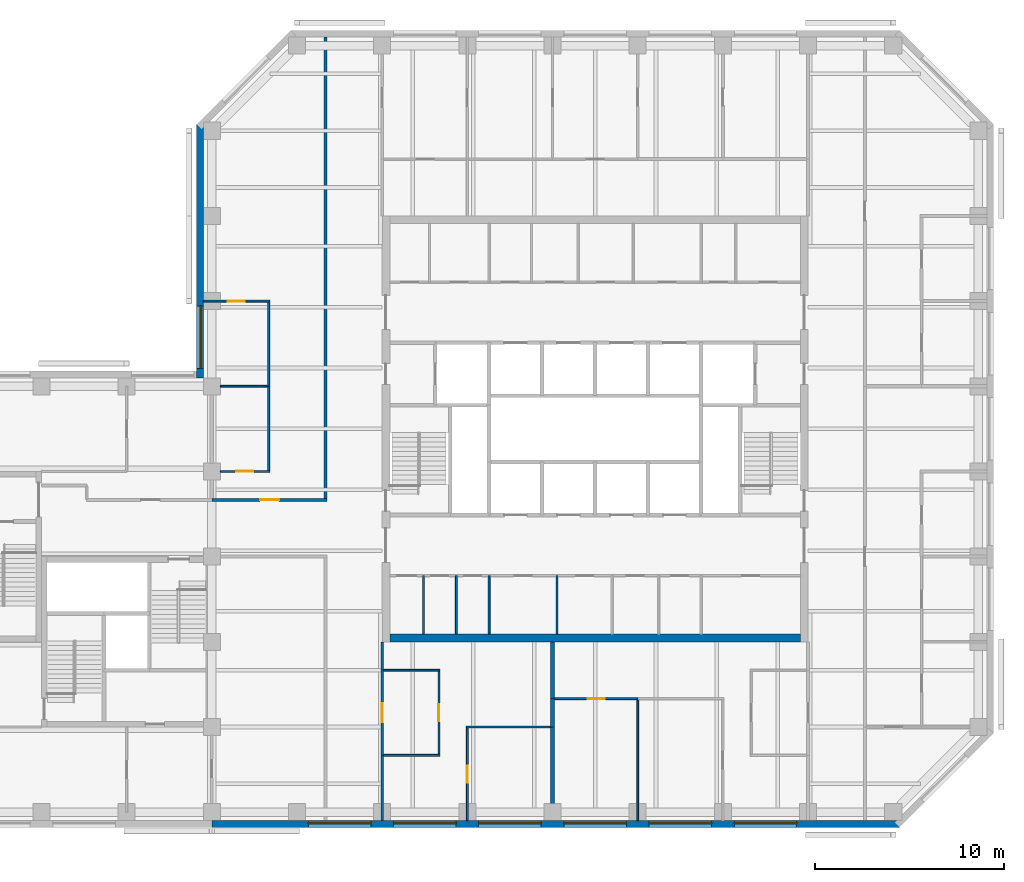
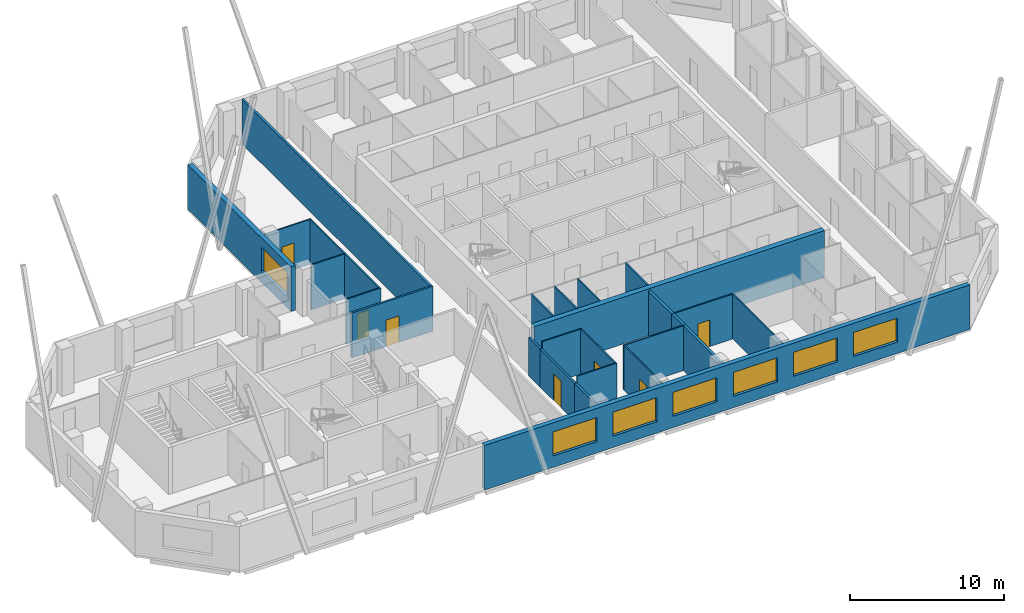
# One storey, part 4 of 10: 27 walls, 7 doors, 7 windows, 14 openings.
"""IFC4 building model written with IfcOpenShell, lengths in metres."""

import ifcopenshell
import ifcopenshell.guid

model = None  # the IFC model being written
_history = None  # IfcOwnerHistory: only IFC2X3 demands one
_inside = {}  # id of a spatial element -> (the spatial element, [elements in it])
_under = {}  # id of a project, library or spatial element -> (it, [spatial elements below it])
_declared = {}  # id of a project -> (the project, [libraries it declares])
_typed = {}  # id of a type object -> (the type object, [elements of that type])
_made_of = {}  # id of a material, layer set ... -> (it, [elements and type objects made of it])


def new_model(schema):
    """Start an empty IFC model of exactly this schema.

    Asked for "IFC4X3", IfcOpenShell would pick the latest addendum, in which some entities
    have other attributes; the version numbers below select the first issue.
    IFC2X3 requires an IfcOwnerHistory on every rooted entity: one is made here for all.
    """
    global model, _history
    if schema == "IFC4X3":
        model = ifcopenshell.file(schema_version=(4, 3, 0, 0))
    else:
        model = ifcopenshell.file(schema=schema)
    _inside.clear()
    _under.clear()
    _declared.clear()
    _typed.clear()
    _made_of.clear()
    _history = None
    if model.schema == "IFC2X3":
        org = make("IfcOrganization", Name="unknown")
        user = make(
            "IfcPersonAndOrganization",
            ThePerson=make("IfcPerson", FamilyName="unknown"),
            TheOrganization=org,
        )
        app = make(
            "IfcApplication",
            ApplicationDeveloper=org,
            Version="unknown",
            ApplicationFullName="unknown",
            ApplicationIdentifier="unknown",
        )
        _history = make(
            "IfcOwnerHistory",
            OwningUser=user,
            OwningApplication=app,
            ChangeAction="ADDED",
            CreationDate=0,
        )
    return model


def make(cls, **values):
    """One entity of the class cls with the attributes given. An attribute that is None is left unset."""
    return model.create_entity(
        cls, **{name: value for name, value in values.items() if value is not None}
    )


def rooted(cls, **values):
    """An entity with a GlobalId (a new one), such as an element, a storey or a relation."""
    return make(cls, GlobalId=ifcopenshell.guid.new(), OwnerHistory=_history, **values)


def si_unit(unit_type, name, prefix=None):
    """IfcSIUnit, for example si_unit("LENGTHUNIT", "METRE", prefix="MILLI")."""
    return make("IfcSIUnit", UnitType=unit_type, Prefix=prefix, Name=name)


def assignment(units):
    """IfcUnitAssignment: the units of a project."""
    return None if units is None else make("IfcUnitAssignment", Units=units)


def point(xyz):
    """IfcCartesianPoint."""
    return None if xyz is None else make("IfcCartesianPoint", Coordinates=xyz)


def direction(xyz):
    """IfcDirection."""
    return None if xyz is None else make("IfcDirection", DirectionRatios=xyz)


def frame(location, z_axis=None, x_axis=None):
    """IfcAxis2Placement3D, a coordinate frame: its origin and axes. An axis left out is left unset."""
    return make(
        "IfcAxis2Placement3D",
        Location=point(location),
        Axis=direction(z_axis),
        RefDirection=direction(x_axis),
    )


def frame_2d(location, x_axis=None):
    """IfcAxis2Placement2D, a coordinate frame in the plane: its origin and x axis."""
    return make(
        "IfcAxis2Placement2D", Location=point(location), RefDirection=direction(x_axis)
    )


def origin():
    """The frame at (0, 0, 0) with its axes left unset."""
    return frame((0.0, 0.0, 0.0))


def place(relative_to, where):
    """IfcLocalPlacement: puts the frame where relative to a parent placement (None: the world)."""
    return make(
        "IfcLocalPlacement", PlacementRelTo=relative_to, RelativePlacement=where
    )


def context(
    kind, dimensions, precision=None, world=None, true_north=None, identifier=None
):
    """IfcGeometricRepresentationContext, for example the 3D "Model" context."""
    return make(
        "IfcGeometricRepresentationContext",
        ContextIdentifier=identifier,
        ContextType=kind,
        CoordinateSpaceDimension=dimensions,
        Precision=precision,
        WorldCoordinateSystem=world,
        TrueNorth=true_north,
    )


def subcontext(parent, identifier, kind, view, scale=None):
    """IfcGeometricRepresentationSubContext, for example "Body" below "Model"."""
    return make(
        "IfcGeometricRepresentationSubContext",
        ContextIdentifier=identifier,
        ContextType=kind,
        ParentContext=parent,
        TargetScale=scale,
        TargetView=view,
    )


def project(units=None, contexts=None):
    """IfcProject with its units and contexts."""
    return rooted(
        "IfcProject",
        Name="project",
        RepresentationContexts=contexts,
        UnitsInContext=assignment(units),
    )


def spatial(cls, under=None, at=None, **own):
    """A site, building, storey or space (cls), placed at a placement, below another one or the project."""
    s = rooted(cls, ObjectPlacement=at, **own)
    if under is not None:
        _under.setdefault(under.id(), (under, []))[1].append(s)
    return s


def profile(cls, at=None, kind="AREA", **sizes):
    """A parametric profile (cls). Its sizes go by their IFC names, for example OverallWidth=200.0."""
    return make(cls, ProfileType=kind, Position=at, **sizes)


def rectangle(**sizes):
    """IfcRectangleProfileDef."""
    return profile("IfcRectangleProfileDef", **sizes)


def extrude(swept, where, along, depth):
    """IfcExtrudedAreaSolid: the profile swept, set in the frame where, extruded along a direction by depth."""
    return make(
        "IfcExtrudedAreaSolid",
        SweptArea=swept,
        Position=where,
        ExtrudedDirection=direction(along),
        Depth=depth,
    )


def shape(context_of_items, identifier, shape_type, items):
    """IfcShapeRepresentation: the items that make up one representation, for example the "Body"."""
    return make(
        "IfcShapeRepresentation",
        ContextOfItems=context_of_items,
        RepresentationIdentifier=identifier,
        RepresentationType=shape_type,
        Items=items,
    )


def material(Name=None, Category=None):
    """IfcMaterial."""
    return make("IfcMaterial", Name=Name, Category=Category)


def layer(
    of_material, thickness, ventilated=None, Name=None, Category=None, Priority=None
):
    """IfcMaterialLayer: one layer of a wall or slab, of a material (None: an air gap)."""
    return make(
        "IfcMaterialLayer",
        Material=of_material,
        LayerThickness=thickness,
        IsVentilated=ventilated,
        Name=Name,
        Category=Category,
        Priority=Priority,
    )


def layer_set(layers, Name=None):
    """IfcMaterialLayerSet."""
    return make("IfcMaterialLayerSet", MaterialLayers=layers, LayerSetName=Name)


def constituent(of_material, Name=None, Category=None, fraction=None):
    """IfcMaterialConstituent: one of the materials an element consists of."""
    return make(
        "IfcMaterialConstituent",
        Name=Name,
        Material=of_material,
        Fraction=fraction,
        Category=Category,
    )


def constituent_set(constituents=None, Name=None):
    """IfcMaterialConstituentSet."""
    return make(
        "IfcMaterialConstituentSet", Name=Name, MaterialConstituents=constituents
    )


def made_of(thing, what):
    """Note that an element or type object is made of a material, layer set ...; save() writes the relation."""
    if what is not None:
        _made_of.setdefault(what.id(), (what, []))[1].append(thing)
    return thing


def type_object(cls, material=None, **own):
    """A type object (cls), such as IfcWallType, which elements share."""
    return made_of(rooted(cls, **own), material)


def element(
    cls,
    number,
    at=None,
    inside=None,
    cuts=None,
    type_object=None,
    material=None,
    context=None,
    identifier="Body",
    shape_type=None,
    held_by="IfcProductDefinitionShape",
    body=None,
    shapes=None,
    **own,
):
    """One element of the class cls, such as IfcWall. Its Tag is "e" and its number.

    at: its placement. inside: the storey or other place that contains it. cuts: it is an
    opening in that element (IfcRelVoidsElement). A single representation is given by context,
    identifier, shape_type and body (its items); several are given by shapes. held_by: the class
    of the entity that holds the representations. save() writes the other relations.
    """
    e = rooted(cls, Tag="e%d" % number, ObjectPlacement=at, **own)
    if body is not None:
        shapes = [shape(context, identifier, shape_type, body)]
    if shapes is not None:
        e.Representation = make(held_by, Representations=shapes)
    if inside is not None:
        _inside.setdefault(inside.id(), (inside, []))[1].append(e)
    if cuts is not None:
        rooted(
            "IfcRelVoidsElement", RelatingBuildingElement=cuts, RelatedOpeningElement=e
        )
    if type_object is not None:
        _typed.setdefault(type_object.id(), (type_object, []))[1].append(e)
    return made_of(e, material)


def fill(opening, filler):
    """IfcRelFillsElement: the door or window that sits in an opening."""
    return rooted(
        "IfcRelFillsElement",
        RelatingOpeningElement=opening,
        RelatedBuildingElement=filler,
    )


def aggregate(whole, parts):
    """IfcRelAggregates: a whole, such as a stair, and the parts it consists of."""
    return rooted("IfcRelAggregates", RelatingObject=whole, RelatedObjects=parts)


def save(model, path):
    """Write the relations noted so far, then the file.

    IfcRelAggregates (storeys below a building ...), IfcRelContainedInSpatialStructure (elements
    in a storey), IfcRelDefinesByType, IfcRelAssociatesMaterial and IfcRelDeclares: one each for
    every whole, place, type object, material and project.
    """
    for whole, parts in _under.values():
        aggregate(whole, parts)
    for where, things in _inside.values():
        rooted(
            "IfcRelContainedInSpatialStructure",
            RelatedElements=things,
            RelatingStructure=where,
        )
    for kind, things in _typed.values():
        rooted("IfcRelDefinesByType", RelatedObjects=things, RelatingType=kind)
    for what, things in _made_of.values():
        rooted("IfcRelAssociatesMaterial", RelatedObjects=things, RelatingMaterial=what)
    for by, libraries in _declared.values():
        rooted("IfcRelDeclares", RelatingContext=by, RelatedDefinitions=libraries)
    model.write(path)


model = new_model("IFC4")

# Units and contexts
model_context = context("Model", 3, precision=1e-05, world=origin(), true_north=direction((0.0, 1.0)))
body_context = subcontext(model_context, "Body", "Model", "MODEL_VIEW")
ifc_project = project(units=[si_unit("LENGTHUNIT", "METRE"), si_unit("AREAUNIT", "SQUARE_METRE"), si_unit("VOLUMEUNIT", "CUBIC_METRE"), si_unit("PLANEANGLEUNIT", "RADIAN"), si_unit("MASSUNIT", "GRAM", prefix="KILO")], contexts=[model_context])

# Site, building, storey
site_placement = place(None, origin())
site = spatial("IfcSite", under=ifc_project, at=site_placement, CompositionType="ELEMENT")
building_placement = place(site_placement, origin())
building = spatial("IfcBuilding", under=site, at=building_placement, Name="Quoin Convention Tower", CompositionType="ELEMENT")
storey_placement = place(building_placement, frame((0.0, 0.0, 234.10009765625)))
storey = spatial("IfcBuildingStorey", under=building, at=storey_placement, Name="L61", CompositionType="ELEMENT", Elevation=234.10009765625)

# Wall, openings, windows
ifc_material_1 = material(Name="Brick masonry", Category="masonry")
ifc_layer_1 = layer(ifc_material_1, 0.35009765625)
ifc_layer_set_1 = layer_set([ifc_layer_1], Name="Brick masonry")
wall_type_1 = type_object("IfcWallType", Name="Brick facade wall", PredefinedType="STANDARD", material=ifc_layer_set_1)
wall_1_placement = place(storey_placement, frame((36.0, 39.875, 0.0), z_axis=(0.0, 0.0, 1.0), x_axis=(1.0, 0.0, 0.0)))
wall_1 = element("IfcWall", 1, at=wall_1_placement, inside=storey, type_object=wall_type_1, Name="fw-L61-36000_40500", PredefinedType="STANDARD", context=body_context, shape_type="SweptSolid", body=[
    extrude(rectangle(XDim=36.331298828125, YDim=0.35009765625, at=frame_2d((18.16552734375, 0.0))), origin(), (0.0, 0.0, 1.0), 3.52490234375),
])
opening_1_placement = place(wall_1_placement, frame((5.10009765625, 0.0, 0.89990234375)))
opening_1 = element("IfcOpeningElement", 2, at=opening_1_placement, cuts=wall_1, Name="Opening W-02", PredefinedType="OPENING", context=body_context, shape_type="SweptSolid", body=[
    extrude(rectangle(XDim=3.300048828125, YDim=1.89990234375, at=frame_2d((1.64990234375, 0.949951171875))), frame((0.0, 0.18505859375, 0.0), z_axis=(0.0, -1.0, 0.0), x_axis=(1.0, 0.0, 0.0)), (0.0, 0.0, 1.0), 0.3701171875),
])
opening_2_placement = place(wall_1_placement, frame((9.60009765625, 0.0, 0.89990234375)))
opening_2 = element("IfcOpeningElement", 3, at=opening_2_placement, cuts=wall_1, Name="Opening W-02", PredefinedType="OPENING", context=body_context, shape_type="SweptSolid", body=[
    extrude(rectangle(XDim=3.300048828125, YDim=1.89990234375, at=frame_2d((1.64990234375, 0.949951171875))), frame((0.0, 0.18505859375, 0.0), z_axis=(0.0, -1.0, 0.0), x_axis=(1.0, 0.0, 0.0)), (0.0, 0.0, 1.0), 0.3701171875),
])
opening_3_placement = place(wall_1_placement, frame((14.10009765625, 0.0, 0.89990234375)))
opening_3 = element("IfcOpeningElement", 4, at=opening_3_placement, cuts=wall_1, Name="Opening W-02", PredefinedType="OPENING", context=body_context, shape_type="SweptSolid", body=[
    extrude(rectangle(XDim=3.300048828125, YDim=1.89990234375, at=frame_2d((1.64990234375, 0.949951171875))), frame((0.0, 0.18505859375, 0.0), z_axis=(0.0, -1.0, 0.0), x_axis=(1.0, 0.0, 0.0)), (0.0, 0.0, 1.0), 0.3701171875),
])
opening_4_placement = place(wall_1_placement, frame((18.60009765625, 0.0, 0.89990234375)))
opening_4 = element("IfcOpeningElement", 5, at=opening_4_placement, cuts=wall_1, Name="Opening W-02", PredefinedType="OPENING", context=body_context, shape_type="SweptSolid", body=[
    extrude(rectangle(XDim=3.300048828125, YDim=1.89990234375, at=frame_2d((1.64990234375, 0.949951171875))), frame((0.0, 0.18505859375, 0.0), z_axis=(0.0, -1.0, 0.0), x_axis=(1.0, 0.0, 0.0)), (0.0, 0.0, 1.0), 0.3701171875),
])
opening_5_placement = place(wall_1_placement, frame((23.10009765625, 0.0, 0.89990234375)))
opening_5 = element("IfcOpeningElement", 6, at=opening_5_placement, cuts=wall_1, Name="Opening W-02", PredefinedType="OPENING", context=body_context, shape_type="SweptSolid", body=[
    extrude(rectangle(XDim=3.300048828125, YDim=1.89990234375, at=frame_2d((1.64990234375, 0.949951171875))), frame((0.0, 0.18505859375, 0.0), z_axis=(0.0, -1.0, 0.0), x_axis=(1.0, 0.0, 0.0)), (0.0, 0.0, 1.0), 0.3701171875),
])
opening_6_placement = place(wall_1_placement, frame((27.60009765625, 0.0, 0.89990234375)))
opening_6 = element("IfcOpeningElement", 7, at=opening_6_placement, cuts=wall_1, Name="Opening W-02", PredefinedType="OPENING", context=body_context, shape_type="SweptSolid", body=[
    extrude(rectangle(XDim=3.300048828125, YDim=1.89990234375, at=frame_2d((1.64990234375, 0.949951171875))), frame((0.0, 0.18505859375, 0.0), z_axis=(0.0, -1.0, 0.0), x_axis=(1.0, 0.0, 0.0)), (0.0, 0.0, 1.0), 0.3701171875),
])
ifc_material_2 = material(Name="Aluminium", Category="aluminium")
ifc_constituent_1 = constituent(ifc_material_2, Name="Frame")
ifc_material_3 = material(Name="Insulated glass", Category="glass")
ifc_constituent_2 = constituent(ifc_material_3, Name="Glazing")
ifc_constituent_set = constituent_set(constituents=[ifc_constituent_1, ifc_constituent_2], Name="Aluminium")
window_type = type_object("IfcWindowType", Name="Office window", PartitioningType="DOUBLE_PANEL_VERTICAL", PredefinedType="WINDOW", material=ifc_constituent_set)
window_1_placement = place(opening_1_placement, origin())
window_1 = element("IfcWindow", 8, at=window_1_placement, inside=storey, type_object=window_type, Name="win-L61-42750_39875", OverallHeight=1.89990234375, OverallWidth=3.300048828125, PartitioningType="SINGLE_PANEL", PredefinedType="WINDOW", context=body_context, shape_type="SweptSolid", body=[
    extrude(rectangle(XDim=3.300048828125, YDim=1.89990234375, at=frame_2d((1.64990234375, 0.949951171875))), frame((0.0, 0.0849609375, 0.0), z_axis=(0.0, -1.0, 0.0), x_axis=(1.0, 0.0, 0.0)), (0.0, 0.0, 1.0), 0.06005859375),
])
fill(opening_1, window_1)
window_2_placement = place(opening_2_placement, origin())
window_2 = element("IfcWindow", 9, at=window_2_placement, inside=storey, type_object=window_type, Name="win-L61-47250_39875", OverallHeight=1.89990234375, OverallWidth=3.300048828125, PartitioningType="SINGLE_PANEL", PredefinedType="WINDOW", context=body_context, shape_type="SweptSolid", body=[
    extrude(rectangle(XDim=3.300048828125, YDim=1.89990234375, at=frame_2d((1.64990234375, 0.949951171875))), frame((0.0, 0.0849609375, 0.0), z_axis=(0.0, -1.0, 0.0), x_axis=(1.0, 0.0, 0.0)), (0.0, 0.0, 1.0), 0.06005859375),
])
fill(opening_2, window_2)
window_3_placement = place(opening_3_placement, origin())
window_3 = element("IfcWindow", 10, at=window_3_placement, inside=storey, type_object=window_type, Name="win-L61-51750_39875", OverallHeight=1.89990234375, OverallWidth=3.300048828125, PartitioningType="SINGLE_PANEL", PredefinedType="WINDOW", context=body_context, shape_type="SweptSolid", body=[
    extrude(rectangle(XDim=3.300048828125, YDim=1.89990234375, at=frame_2d((1.64990234375, 0.949951171875))), frame((0.0, 0.0849609375, 0.0), z_axis=(0.0, -1.0, 0.0), x_axis=(1.0, 0.0, 0.0)), (0.0, 0.0, 1.0), 0.06005859375),
])
fill(opening_3, window_3)
window_4_placement = place(opening_4_placement, origin())
window_4 = element("IfcWindow", 11, at=window_4_placement, inside=storey, type_object=window_type, Name="win-L61-56250_39875", OverallHeight=1.89990234375, OverallWidth=3.300048828125, PartitioningType="SINGLE_PANEL", PredefinedType="WINDOW", context=body_context, shape_type="SweptSolid", body=[
    extrude(rectangle(XDim=3.300048828125, YDim=1.89990234375, at=frame_2d((1.64990234375, 0.949951171875))), frame((0.0, 0.0849609375, 0.0), z_axis=(0.0, -1.0, 0.0), x_axis=(1.0, 0.0, 0.0)), (0.0, 0.0, 1.0), 0.06005859375),
])
fill(opening_4, window_4)
window_5_placement = place(opening_5_placement, origin())
window_5 = element("IfcWindow", 12, at=window_5_placement, inside=storey, type_object=window_type, Name="win-L61-60750_39875", OverallHeight=1.89990234375, OverallWidth=3.300048828125, PartitioningType="SINGLE_PANEL", PredefinedType="WINDOW", context=body_context, shape_type="SweptSolid", body=[
    extrude(rectangle(XDim=3.300048828125, YDim=1.89990234375, at=frame_2d((1.64990234375, 0.949951171875))), frame((0.0, 0.0849609375, 0.0), z_axis=(0.0, -1.0, 0.0), x_axis=(1.0, 0.0, 0.0)), (0.0, 0.0, 1.0), 0.06005859375),
])
fill(opening_5, window_5)
window_6_placement = place(opening_6_placement, origin())
window_6 = element("IfcWindow", 13, at=window_6_placement, inside=storey, type_object=window_type, Name="win-L61-65250_39875", OverallHeight=1.89990234375, OverallWidth=3.300048828125, PartitioningType="SINGLE_PANEL", PredefinedType="WINDOW", context=body_context, shape_type="SweptSolid", body=[
    extrude(rectangle(XDim=3.300048828125, YDim=1.89990234375, at=frame_2d((1.64990234375, 0.949951171875))), frame((0.0, 0.0849609375, 0.0), z_axis=(0.0, -1.0, 0.0), x_axis=(1.0, 0.0, 0.0)), (0.0, 0.0, 1.0), 0.06005859375),
])
fill(opening_6, window_6)

# Wall, opening, window
wall_2_placement = place(storey_placement, frame((35.375, 76.831298828125, 0.0), z_axis=(0.0, 0.0, 1.0), x_axis=(0.0, -1.0, 0.0)))
wall_2 = element("IfcWall", 14, at=wall_2_placement, inside=storey, type_object=wall_type_1, Name="fw-L61-36000_76500", PredefinedType="STANDARD", context=body_context, shape_type="SweptSolid", body=[
    extrude(rectangle(XDim=13.38134765625, YDim=0.35009765625, at=frame_2d((6.690673828125, 0.0))), origin(), (0.0, 0.0, 1.0), 3.52490234375),
])
opening_7_placement = place(wall_2_placement, frame((9.581298828125, 0.0, 0.89990234375)))
opening_7 = element("IfcOpeningElement", 15, at=opening_7_placement, cuts=wall_2, Name="Opening W-02", PredefinedType="OPENING", context=body_context, shape_type="SweptSolid", body=[
    extrude(rectangle(XDim=3.300048828125, YDim=1.89990234375, at=frame_2d((1.64990234375, 0.949951171875))), frame((0.0, 0.18505859375, 0.0), z_axis=(0.0, -1.0, 0.0), x_axis=(1.0, 0.0, 0.0)), (0.0, 0.0, 1.0), 0.3701171875),
])
window_7_placement = place(opening_7_placement, origin())
window_7 = element("IfcWindow", 16, at=window_7_placement, inside=storey, type_object=window_type, Name="win-L61-35375_65250", OverallHeight=1.89990234375, OverallWidth=3.300048828125, PartitioningType="SINGLE_PANEL", PredefinedType="WINDOW", context=body_context, shape_type="SweptSolid", body=[
    extrude(rectangle(XDim=3.300048828125, YDim=1.89990234375, at=frame_2d((1.64990234375, 0.949951171875))), frame((0.0, 0.0849609375, 0.0), z_axis=(0.0, -1.0, 0.0), x_axis=(1.0, 0.0, 0.0)), (0.0, 0.0, 1.0), 0.06005859375),
])
fill(opening_7, window_7)

# Walls
ifc_material_4 = material(Name="Plasterboard")
ifc_layer_2 = layer(ifc_material_4, 0.012451171875, Name="Finish")
ifc_material_5 = material(Name="Steel stud framing", Category="steel")
ifc_layer_3 = layer(ifc_material_5, 0.074951171875, Name="Structure")
ifc_layer_4 = layer(ifc_material_4, 0.012451171875, Name="Finish")
ifc_layer_set_2 = layer_set([ifc_layer_2, ifc_layer_3, ifc_layer_4], Name="Steel stud framing")
wall_type_2 = type_object("IfcWallType", Name="Core partition wall", PredefinedType="PARTITIONING", material=ifc_layer_set_2)
for number, where, z_axis, x_axis, name in (
    (17, (47.18505859375, 49.89990234375, 0.0), (0.0, 0.0, 1.0), (0.0, 1.0, 0.0), "cr-C1-L61-v2185_400"),
    (18, (48.91748046875, 49.89990234375, 0.0), (0.0, 0.0, 1.0), (0.0, 1.0, 0.0), "cr-C1-L61-v3918_400"),
    (19, (50.64990234375, 49.89990234375, 0.0), (0.0, 0.0, 1.0), (0.0, 1.0, 0.0), "cr-C1-L61-v5650_400"),
    (20, (54.23388671875, 49.89990234375, 0.0), (0.0, 0.0, 1.0), (0.0, 1.0, 0.0), "cr-C1-L61-v9234_400"),
):
    element("IfcWall", number, at=place(storey_placement, frame(where, z_axis=z_axis, x_axis=x_axis)), inside=storey, type_object=wall_type_2, Name=name, PredefinedType="PARTITIONING", context=body_context, shape_type="SweptSolid", body=[
        extrude(rectangle(XDim=3.10009765625, YDim=0.10009765625, at=frame_2d((1.550048828125, 0.0))), origin(), (0.0, 0.0, 1.0), 3.5498046875),
    ])

# Wall, opening, door
ifc_layer_5 = layer(ifc_material_4, 0.012451171875, Name="Finish")
ifc_layer_6 = layer(ifc_material_5, 0.125, Name="Structure")
ifc_layer_7 = layer(ifc_material_4, 0.012451171875, Name="Finish")
ifc_layer_set_3 = layer_set([ifc_layer_5, ifc_layer_6, ifc_layer_7], Name="Steel stud framing")
wall_type_3 = type_object("IfcWallType", Name="Corridor wall 150", PredefinedType="PARTITIONING", material=ifc_layer_set_3)
wall_3_placement = place(storey_placement, frame((36.0, 57.0, 0.0), z_axis=(0.0, 0.0, 1.0), x_axis=(1.0, 0.0, 0.0)))
wall_3 = element("IfcWall", 21, at=wall_3_placement, inside=storey, type_object=wall_type_3, Name="pw-L61-019", PredefinedType="PARTITIONING", context=body_context, shape_type="SweptSolid", body=[
    extrude(rectangle(XDim=6.074951171875, YDim=0.14990234375, at=frame_2d((3.03759765625, 0.0))), origin(), (0.0, 0.0, 1.0), 3.5498046875),
])
opening_8_placement = place(wall_3_placement, frame((2.550048828125, 0.0, 0.0)))
opening_8 = element("IfcOpeningElement", 22, at=opening_8_placement, cuts=wall_3, Name="Opening DOH11-04", PredefinedType="OPENING", context=body_context, shape_type="SweptSolid", body=[
    extrude(rectangle(XDim=1.0, YDim=2.10009765625, at=frame_2d((0.5, 1.050048828125))), frame((0.0, 0.0849609375, 0.0), z_axis=(0.0, -1.0, 0.0), x_axis=(1.0, 0.0, 0.0)), (0.0, 0.0, 1.0), 0.169921875),
])
ifc_material_6 = material(Name="Steel door leaf", Category="steel")
door_type_1 = type_object("IfcDoorType", Name="Tenancy entrance door 1000 x 2100", OperationType="DOUBLE_DOOR_SINGLE_SWING", PredefinedType="DOOR", material=ifc_material_6)
door_1_placement = place(opening_8_placement, origin())
door_1 = element("IfcDoor", 23, at=door_1_placement, inside=storey, type_object=door_type_1, Name="dr-L61-07", OperationType="DOUBLE_DOOR_SINGLE_SWING", OverallHeight=2.10009765625, OverallWidth=1.0, PredefinedType="DOOR", context=body_context, shape_type="SweptSolid", body=[
    extrude(rectangle(XDim=1.0, YDim=2.10009765625, at=frame_2d((0.5, 1.050048828125))), frame((0.0, 0.02490234375, 0.0), z_axis=(0.0, -1.0, 0.0), x_axis=(1.0, 0.0, 0.0)), (0.0, 0.0, 1.0), 0.050048828125),
])
fill(opening_8, door_1)

# Walls
wall_4_placement = place(storey_placement, frame((42.0, 57.074951171875, 0.0), z_axis=(0.0, 0.0, 1.0), x_axis=(0.0, 1.0, 0.0)))
element("IfcWall", 24, at=wall_4_placement, inside=storey, type_object=wall_type_3, Name="pw-L61-062", PredefinedType="PARTITIONING", context=body_context, shape_type="SweptSolid", body=[
    extrude(rectangle(XDim=24.375, YDim=0.14990234375, at=frame_2d((12.1875, 0.0))), origin(), (0.0, 0.0, 1.0), 3.5498046875),
])
ifc_layer_8 = layer(ifc_material_4, 0.012451171875, Name="Finish")
ifc_layer_9 = layer(ifc_material_5, 0.125, Name="Structure")
ifc_layer_10 = layer(ifc_material_4, 0.012451171875, Name="Finish")
ifc_layer_set_4 = layer_set([ifc_layer_8, ifc_layer_9, ifc_layer_10], Name="Steel stud framing")
wall_type_4 = type_object("IfcWallType", Name="Corridor wall 150 under beam 528", PredefinedType="PARTITIONING", material=ifc_layer_set_4)
wall_5_placement = place(storey_placement, frame((45.0, 40.050048828125, 0.0), z_axis=(0.0, 0.0, 1.0), x_axis=(0.0, 1.0, 0.0)))
element("IfcWall", 25, at=wall_5_placement, inside=storey, type_object=wall_type_4, Name="pw-L61-036", PredefinedType="PARTITIONING", context=body_context, shape_type="SweptSolid", body=[
    extrude(rectangle(XDim=3.449951171875, YDim=0.14990234375, at=frame_2d((1.72509765625, 0.0))), origin(), (0.0, 0.0, 1.0), 3.02197265625),
])

# Wall, opening, door
wall_6_placement = place(storey_placement, frame((45.0, 43.5, 0.0), z_axis=(0.0, 0.0, 1.0), x_axis=(0.0, 1.0, 0.0)))
wall_6 = element("IfcWall", 26, at=wall_6_placement, inside=storey, type_object=wall_type_4, Name="pw-L61-044", PredefinedType="PARTITIONING", context=body_context, shape_type="SweptSolid", body=[
    extrude(rectangle(XDim=4.5, YDim=0.14990234375, at=frame_2d((2.25, 0.0))), origin(), (0.0, 0.0, 1.0), 3.02197265625),
])
opening_9_placement = place(wall_6_placement, frame((1.75, 0.0, 0.0)))
opening_9 = element("IfcOpeningElement", 27, at=opening_9_placement, cuts=wall_6, Name="Opening DOH11-12", PredefinedType="OPENING", context=body_context, shape_type="SweptSolid", body=[
    extrude(rectangle(XDim=1.0, YDim=2.10009765625, at=frame_2d((0.5, 1.050048828125))), frame((0.0, 0.0849609375, 0.0), z_axis=(0.0, -1.0, 0.0), x_axis=(1.0, 0.0, 0.0)), (0.0, 0.0, 1.0), 0.169921875),
])
door_2_placement = place(opening_9_placement, frame((1.0, 0.0, 0.0), z_axis=(0.0, 0.0, 1.0), x_axis=(-1.0, 0.0, 0.0)))
door_2 = element("IfcDoor", 28, at=door_2_placement, inside=storey, type_object=door_type_1, Name="dr-L61-10", OperationType="DOUBLE_DOOR_SINGLE_SWING", OverallHeight=2.10009765625, OverallWidth=1.0, PredefinedType="DOOR", context=body_context, shape_type="SweptSolid", body=[
    extrude(rectangle(XDim=1.0, YDim=2.10009765625, at=frame_2d((0.5, 1.050048828125))), frame((0.0, 0.02490234375, 0.0), z_axis=(0.0, -1.0, 0.0), x_axis=(1.0, 0.0, 0.0)), (0.0, 0.0, 1.0), 0.050048828125),
])
fill(opening_9, door_2)

# Walls
wall_7_placement = place(storey_placement, frame((45.0, 48.0, 0.0), z_axis=(0.0, 0.0, 1.0), x_axis=(0.0, 1.0, 0.0)))
element("IfcWall", 29, at=wall_7_placement, inside=storey, type_object=wall_type_4, Name="pw-L61-056", PredefinedType="PARTITIONING", context=body_context, shape_type="SweptSolid", body=[
    extrude(rectangle(XDim=1.5, YDim=0.14990234375, at=frame_2d((0.75, 0.0))), origin(), (0.0, 0.0, 1.0), 3.02197265625),
])
ifc_material_7 = material(Name="Concrete C50", Category="concrete")
ifc_layer_11 = layer(ifc_material_7, 0.39990234375)
ifc_layer_set_5 = layer_set([ifc_layer_11], Name="Concrete C50")
wall_type_5 = type_object("IfcWallType", Name="RC CORE WALL 400 C50", PredefinedType="SHEAR", material=ifc_layer_set_5)
wall_8_placement = place(storey_placement, frame((45.39990234375, 49.699951171875, 0.0), z_axis=(0.0, 0.0, 1.0), x_axis=(1.0, 0.0, 0.0)))
element("IfcWall", 30, at=wall_8_placement, inside=storey, type_object=wall_type_5, Name="cwl-C1-L61-S", PredefinedType="SHEAR", context=body_context, shape_type="SweptSolid", body=[
    extrude(rectangle(XDim=21.7001953125, YDim=0.39990234375, at=frame_2d((10.85009765625, 0.0))), origin(), (0.0, 0.0, 1.0), 3.699951171875),
])
ifc_layer_12 = layer(ifc_material_4, 0.012451171875, Name="Finish")
ifc_layer_13 = layer(ifc_material_5, 0.074951171875, Name="Structure")
ifc_layer_14 = layer(ifc_material_4, 0.012451171875, Name="Finish")
ifc_layer_set_6 = layer_set([ifc_layer_12, ifc_layer_13, ifc_layer_14], Name="Steel stud framing")
wall_type_6 = type_object("IfcWallType", Name="Stud partition 100", PredefinedType="PARTITIONING", material=ifc_layer_set_6)
wall_9_placement = place(storey_placement, frame((45.074951171875, 43.5, 0.0), z_axis=(0.0, 0.0, 1.0), x_axis=(1.0, 0.0, 0.0)))
element("IfcWall", 31, at=wall_9_placement, inside=storey, type_object=wall_type_6, Name="pw-L61-001", PredefinedType="PARTITIONING", context=body_context, shape_type="SweptSolid", body=[
    extrude(rectangle(XDim=2.97509765625, YDim=0.10009765625, at=frame_2d((1.487548828125, 0.0))), origin(), (0.0, 0.0, 1.0), 3.5498046875),
])
wall_10_placement = place(storey_placement, frame((49.449951171875, 45.0, 0.0), z_axis=(0.0, 0.0, 1.0), x_axis=(1.0, 0.0, 0.0)))
element("IfcWall", 32, at=wall_10_placement, inside=storey, type_object=wall_type_6, Name="pw-L61-005", PredefinedType="PARTITIONING", context=body_context, shape_type="SweptSolid", body=[
    extrude(rectangle(XDim=4.449951171875, YDim=0.10009765625, at=frame_2d((2.22509765625, 0.0))), origin(), (0.0, 0.0, 1.0), 3.5498046875),
])

# Wall, opening, door
wall_11_placement = place(storey_placement, frame((54.10009765625, 46.5, 0.0), z_axis=(0.0, 0.0, 1.0), x_axis=(1.0, 0.0, 0.0)))
wall_11 = element("IfcWall", 33, at=wall_11_placement, inside=storey, type_object=wall_type_6, Name="pw-L61-009", PredefinedType="PARTITIONING", context=body_context, shape_type="SweptSolid", body=[
    extrude(rectangle(XDim=4.39990234375, YDim=0.10009765625, at=frame_2d((2.199951171875, 0.0))), origin(), (0.0, 0.0, 1.0), 3.5498046875),
])
opening_10_placement = place(wall_11_placement, frame((1.75, 0.0, 0.0)))
opening_10 = element("IfcOpeningElement", 34, at=opening_10_placement, cuts=wall_11, Name="Opening DOH11-02", PredefinedType="OPENING", context=body_context, shape_type="SweptSolid", body=[
    extrude(rectangle(XDim=0.89990234375, YDim=2.10009765625, at=frame_2d((0.449951171875, 1.050048828125))), frame((0.0, 0.06005859375, 0.0), z_axis=(0.0, -1.0, 0.0), x_axis=(1.0, 0.0, 0.0)), (0.0, 0.0, 1.0), 0.1201171875),
])
door_type_2 = type_object("IfcDoorType", Name="Office door 900 x 2100", OperationType="SINGLE_SWING_RIGHT", PredefinedType="DOOR", material=ifc_material_6)
door_3_placement = place(opening_10_placement, origin())
door_3 = element("IfcDoor", 35, at=door_3_placement, inside=storey, type_object=door_type_2, Name="dr-L61-15", OperationType="SINGLE_SWING_RIGHT", OverallHeight=2.10009765625, OverallWidth=0.89990234375, PredefinedType="DOOR", context=body_context, shape_type="SweptSolid", body=[
    extrude(rectangle(XDim=0.89990234375, YDim=2.10009765625, at=frame_2d((0.449951171875, 1.050048828125))), frame((0.0, 0.02490234375, 0.0), z_axis=(0.0, -1.0, 0.0), x_axis=(1.0, 0.0, 0.0)), (0.0, 0.0, 1.0), 0.050048828125),
])
fill(opening_10, door_3)

# Wall
wall_12_placement = place(storey_placement, frame((45.074951171875, 48.0, 0.0), z_axis=(0.0, 0.0, 1.0), x_axis=(1.0, 0.0, 0.0)))
element("IfcWall", 36, at=wall_12_placement, inside=storey, type_object=wall_type_6, Name="pw-L61-011", PredefinedType="PARTITIONING", context=body_context, shape_type="SweptSolid", body=[
    extrude(rectangle(XDim=2.97509765625, YDim=0.10009765625, at=frame_2d((1.487548828125, 0.0))), origin(), (0.0, 0.0, 1.0), 3.5498046875),
])

# Wall, opening, door
wall_13_placement = place(storey_placement, frame((36.449951171875, 58.5, 0.0), z_axis=(0.0, 0.0, 1.0), x_axis=(1.0, 0.0, 0.0)))
wall_13 = element("IfcWall", 37, at=wall_13_placement, inside=storey, type_object=wall_type_6, Name="pw-L61-020", PredefinedType="PARTITIONING", context=body_context, shape_type="SweptSolid", body=[
    extrude(rectangle(XDim=2.60009765625, YDim=0.10009765625, at=frame_2d((1.300048828125, 0.0))), origin(), (0.0, 0.0, 1.0), 3.5498046875),
])
opening_11_placement = place(wall_13_placement, frame((0.85009765625, 0.0, 0.0)))
opening_11 = element("IfcOpeningElement", 38, at=opening_11_placement, cuts=wall_13, Name="Opening DOH11-05", PredefinedType="OPENING", context=body_context, shape_type="SweptSolid", body=[
    extrude(rectangle(XDim=0.89990234375, YDim=2.10009765625, at=frame_2d((0.449951171875, 1.050048828125))), frame((0.0, 0.06005859375, 0.0), z_axis=(0.0, -1.0, 0.0), x_axis=(1.0, 0.0, 0.0)), (0.0, 0.0, 1.0), 0.1201171875),
])
door_4_placement = place(opening_11_placement, frame((0.89990234375, 0.0, 0.0), z_axis=(0.0, 0.0, 1.0), x_axis=(-1.0, 0.0, 0.0)))
door_4 = element("IfcDoor", 39, at=door_4_placement, inside=storey, type_object=door_type_2, Name="dr-L61-08", OperationType="SINGLE_SWING_LEFT", OverallHeight=2.10009765625, OverallWidth=0.89990234375, PredefinedType="DOOR", context=body_context, shape_type="SweptSolid", body=[
    extrude(rectangle(XDim=0.89990234375, YDim=2.10009765625, at=frame_2d((0.449951171875, 1.050048828125))), frame((0.0, 0.02490234375, 0.0), z_axis=(0.0, -1.0, 0.0), x_axis=(1.0, 0.0, 0.0)), (0.0, 0.0, 1.0), 0.050048828125),
])
fill(opening_11, door_4)

# Wall
wall_14_placement = place(storey_placement, frame((36.449951171875, 63.0, 0.0), z_axis=(0.0, 0.0, 1.0), x_axis=(1.0, 0.0, 0.0)))
element("IfcWall", 40, at=wall_14_placement, inside=storey, type_object=wall_type_6, Name="pw-L61-023", PredefinedType="PARTITIONING", context=body_context, shape_type="SweptSolid", body=[
    extrude(rectangle(XDim=2.5, YDim=0.10009765625, at=frame_2d((1.25, 0.0))), origin(), (0.0, 0.0, 1.0), 3.5498046875),
])

# Wall, opening, door
wall_15_placement = place(storey_placement, frame((35.550048828125, 67.5, 0.0), z_axis=(0.0, 0.0, 1.0), x_axis=(1.0, 0.0, 0.0)))
wall_15 = element("IfcWall", 41, at=wall_15_placement, inside=storey, type_object=wall_type_6, Name="pw-L61-026", PredefinedType="PARTITIONING", context=body_context, shape_type="SweptSolid", body=[
    extrude(rectangle(XDim=3.5, YDim=0.10009765625, at=frame_2d((1.75, 0.0))), origin(), (0.0, 0.0, 1.0), 3.5498046875),
])
opening_12_placement = place(wall_15_placement, frame((1.300048828125, 0.0, 0.0)))
opening_12 = element("IfcOpeningElement", 42, at=opening_12_placement, cuts=wall_15, Name="Opening DOH11-06", PredefinedType="OPENING", context=body_context, shape_type="SweptSolid", body=[
    extrude(rectangle(XDim=0.89990234375, YDim=2.10009765625, at=frame_2d((0.449951171875, 1.050048828125))), frame((0.0, 0.06005859375, 0.0), z_axis=(0.0, -1.0, 0.0), x_axis=(1.0, 0.0, 0.0)), (0.0, 0.0, 1.0), 0.1201171875),
])
door_5_placement = place(opening_12_placement, origin())
door_5 = element("IfcDoor", 43, at=door_5_placement, inside=storey, type_object=door_type_2, Name="dr-L61-09", OperationType="SINGLE_SWING_RIGHT", OverallHeight=2.10009765625, OverallWidth=0.89990234375, PredefinedType="DOOR", context=body_context, shape_type="SweptSolid", body=[
    extrude(rectangle(XDim=0.89990234375, YDim=2.10009765625, at=frame_2d((0.449951171875, 1.050048828125))), frame((0.0, 0.02490234375, 0.0), z_axis=(0.0, -1.0, 0.0), x_axis=(1.0, 0.0, 0.0)), (0.0, 0.0, 1.0), 0.050048828125),
])
fill(opening_12, door_5)

wall_16_placement = place(storey_placement, frame((49.5, 40.050048828125, 0.0), z_axis=(0.0, 0.0, 1.0), x_axis=(0.0, 1.0, 0.0)))
wall_16 = element("IfcWall", 44, at=wall_16_placement, inside=storey, type_object=wall_type_6, Name="pw-L61-037", PredefinedType="PARTITIONING", context=body_context, shape_type="SweptSolid", body=[
    extrude(rectangle(XDim=4.89990234375, YDim=0.10009765625, at=frame_2d((2.449951171875, 0.0))), origin(), (0.0, 0.0, 1.0), 3.5498046875),
])
opening_13_placement = place(wall_16_placement, frame((2.0, 0.0, 0.0)))
opening_13 = element("IfcOpeningElement", 45, at=opening_13_placement, cuts=wall_16, Name="Opening DOH11-09", PredefinedType="OPENING", context=body_context, shape_type="SweptSolid", body=[
    extrude(rectangle(XDim=0.89990234375, YDim=2.10009765625, at=frame_2d((0.449951171875, 1.050048828125))), frame((0.0, 0.06005859375, 0.0), z_axis=(0.0, -1.0, 0.0), x_axis=(1.0, 0.0, 0.0)), (0.0, 0.0, 1.0), 0.1201171875),
])
door_6_placement = place(opening_13_placement, origin())
door_6 = element("IfcDoor", 46, at=door_6_placement, inside=storey, type_object=door_type_2, Name="dr-L61-12", OperationType="SINGLE_SWING_RIGHT", OverallHeight=2.10009765625, OverallWidth=0.89990234375, PredefinedType="DOOR", context=body_context, shape_type="SweptSolid", body=[
    extrude(rectangle(XDim=0.89990234375, YDim=2.10009765625, at=frame_2d((0.449951171875, 1.050048828125))), frame((0.0, 0.02490234375, 0.0), z_axis=(0.0, -1.0, 0.0), x_axis=(1.0, 0.0, 0.0)), (0.0, 0.0, 1.0), 0.050048828125),
])
fill(opening_13, door_6)

# Wall
wall_17_placement = place(storey_placement, frame((58.5, 40.050048828125, 0.0), z_axis=(0.0, 0.0, 1.0), x_axis=(0.0, 1.0, 0.0)))
element("IfcWall", 47, at=wall_17_placement, inside=storey, type_object=wall_type_6, Name="pw-L61-039", PredefinedType="PARTITIONING", context=body_context, shape_type="SweptSolid", body=[
    extrude(rectangle(XDim=6.39990234375, YDim=0.10009765625, at=frame_2d((3.199951171875, 0.0))), origin(), (0.0, 0.0, 1.0), 3.5498046875),
])

# Wall, opening, door
wall_18_placement = place(storey_placement, frame((48.0, 43.550048828125, 0.0), z_axis=(0.0, 0.0, 1.0), x_axis=(0.0, 1.0, 0.0)))
wall_18 = element("IfcWall", 48, at=wall_18_placement, inside=storey, type_object=wall_type_6, Name="pw-L61-046", PredefinedType="PARTITIONING", context=body_context, shape_type="SweptSolid", body=[
    extrude(rectangle(XDim=4.39990234375, YDim=0.10009765625, at=frame_2d((2.199951171875, 0.0))), origin(), (0.0, 0.0, 1.0), 3.5498046875),
])
opening_14_placement = place(wall_18_placement, frame((1.75, 0.0, 0.0)))
opening_14 = element("IfcOpeningElement", 49, at=opening_14_placement, cuts=wall_18, Name="Opening DOH11-14", PredefinedType="OPENING", context=body_context, shape_type="SweptSolid", body=[
    extrude(rectangle(XDim=0.89990234375, YDim=2.10009765625, at=frame_2d((0.449951171875, 1.050048828125))), frame((0.0, 0.06005859375, 0.0), z_axis=(0.0, -1.0, 0.0), x_axis=(1.0, 0.0, 0.0)), (0.0, 0.0, 1.0), 0.1201171875),
])
door_7_placement = place(opening_14_placement, frame((0.89990234375, 0.0, 0.0), z_axis=(0.0, 0.0, 1.0), x_axis=(-1.0, 0.0, 0.0)))
door_7 = element("IfcDoor", 50, at=door_7_placement, inside=storey, type_object=door_type_2, Name="dr-L61-11", OperationType="SINGLE_SWING_LEFT", OverallHeight=2.10009765625, OverallWidth=0.89990234375, PredefinedType="DOOR", context=body_context, shape_type="SweptSolid", body=[
    extrude(rectangle(XDim=0.89990234375, YDim=2.10009765625, at=frame_2d((0.449951171875, 1.050048828125))), frame((0.0, 0.02490234375, 0.0), z_axis=(0.0, -1.0, 0.0), x_axis=(1.0, 0.0, 0.0)), (0.0, 0.0, 1.0), 0.050048828125),
])
fill(opening_14, door_7)

# Walls
for number, where, z_axis, x_axis, name in (
    (51, (39.0, 58.550048828125, 0.0), (0.0, 0.0, 1.0), (0.0, 1.0, 0.0), "pw-L61-063"),
    (52, (39.0, 63.0, 0.0), (0.0, 0.0, 1.0), (0.0, 1.0, 0.0), "pw-L61-067"),
):
    element("IfcWall", number, at=place(storey_placement, frame(where, z_axis=z_axis, x_axis=x_axis)), inside=storey, type_object=wall_type_6, Name=name, PredefinedType="PARTITIONING", context=body_context, shape_type="SweptSolid", body=[
        extrude(rectangle(XDim=4.449951171875, YDim=0.10009765625, at=frame_2d((2.22509765625, 0.0))), origin(), (0.0, 0.0, 1.0), 3.5498046875),
    ])
ifc_layer_15 = layer(ifc_material_4, 0.012451171875, Name="Finish")
ifc_layer_16 = layer(ifc_material_5, 0.175048828125, Name="Structure")
ifc_layer_17 = layer(ifc_material_4, 0.012451171875, Name="Finish")
ifc_layer_set_7 = layer_set([ifc_layer_15, ifc_layer_16, ifc_layer_17], Name="Steel stud framing")
wall_type_7 = type_object("IfcWallType", Name="Tenancy demising wall 200", PredefinedType="PARTITIONING", material=ifc_layer_set_7)
wall_19_placement = place(storey_placement, frame((54.0, 40.050048828125, 0.0), z_axis=(0.0, 0.0, 1.0), x_axis=(0.0, 1.0, 0.0)))
element("IfcWall", 53, at=wall_19_placement, inside=storey, type_object=wall_type_7, Name="pw-L61-038", PredefinedType="PARTITIONING", context=body_context, shape_type="SweptSolid", body=[
    extrude(rectangle(XDim=4.949951171875, YDim=0.199951171875, at=frame_2d((2.47509765625, 0.0))), origin(), (0.0, 0.0, 1.0), 3.5498046875),
])
wall_20_placement = place(storey_placement, frame((54.0, 45.0, 0.0), z_axis=(0.0, 0.0, 1.0), x_axis=(0.0, 1.0, 0.0)))
element("IfcWall", 54, at=wall_20_placement, inside=storey, type_object=wall_type_7, Name="pw-L61-049", PredefinedType="PARTITIONING", context=body_context, shape_type="SweptSolid", body=[
    extrude(rectangle(XDim=1.5, YDim=0.199951171875, at=frame_2d((0.75, 0.0))), origin(), (0.0, 0.0, 1.0), 3.5498046875),
])
wall_21_placement = place(storey_placement, frame((54.0, 46.5, 0.0), z_axis=(0.0, 0.0, 1.0), x_axis=(0.0, 1.0, 0.0)))
element("IfcWall", 55, at=wall_21_placement, inside=storey, type_object=wall_type_7, Name="pw-L61-054", PredefinedType="PARTITIONING", context=body_context, shape_type="SweptSolid", body=[
    extrude(rectangle(XDim=3.0, YDim=0.199951171875, at=frame_2d((1.5, 0.0))), origin(), (0.0, 0.0, 1.0), 3.5498046875),
])

save(model, "model.ifc")
